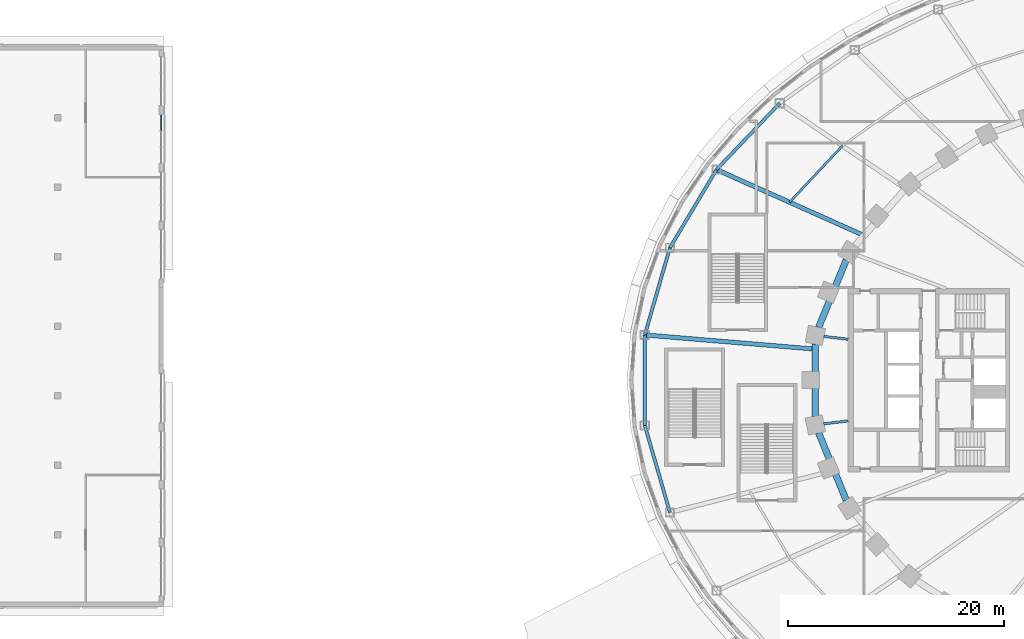
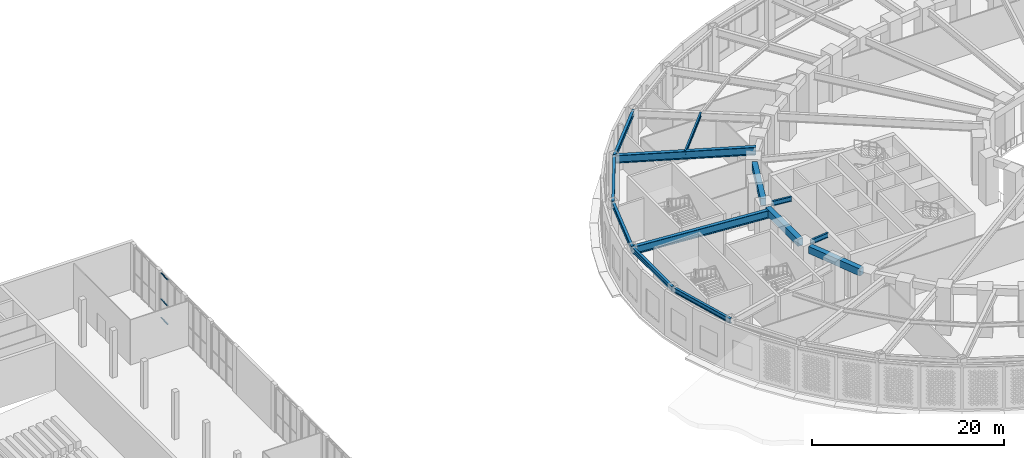
# One storey, part 10 of 74: 13 beams, 3 members, 1 element without a shape of its own.
"""IFC4 building model written with IfcOpenShell, lengths in metres."""

from ifc_helpers import new_model, si_unit, direction, frame, origin, origin_2d, place, context, subcontext, project, spatial, rectangle, i_section, extrude, material, layer, layer_set, material_profile, profile_set, type_object, element, aggregate, save


model = new_model("IFC4")

# Units and contexts
model_context = context("Model", 3, precision=1e-05, world=origin(), true_north=direction((0.0, 1.0)))
body_context = subcontext(model_context, "Body", "Model", "MODEL_VIEW")
ifc_project = project(units=[si_unit("LENGTHUNIT", "METRE"), si_unit("AREAUNIT", "SQUARE_METRE"), si_unit("VOLUMEUNIT", "CUBIC_METRE"), si_unit("PLANEANGLEUNIT", "RADIAN"), si_unit("MASSUNIT", "GRAM", prefix="KILO")], contexts=[model_context])

# Site, building, storey
site_placement = place(None, origin())
site = spatial("IfcSite", under=ifc_project, at=site_placement, CompositionType="ELEMENT")
building_placement = place(site_placement, origin())
building = spatial("IfcBuilding", under=site, at=building_placement, Name="Noorbagh Ring Tower", CompositionType="ELEMENT")
storey_placement = place(building_placement, frame((0.0, 0.0, 7.5)))
storey = spatial("IfcBuildingStorey", under=building, at=storey_placement, Name="L01", CompositionType="ELEMENT", Elevation=7.5)

# Beams
ifc_material_1 = material(Name="Steel S355", Category="steel")
ifc_material_profile_1 = material_profile(ifc_material_1, i_section(OverallWidth=0.300048828125, OverallDepth=0.60009765625, WebThickness=0.015380859375, FlangeThickness=0.030029296875, FilletRadius=0.027099609375, at=origin_2d()), Name="HEB600")
ifc_profile_set_1 = profile_set([ifc_material_profile_1], Name="Steel S355")
beam_type_1 = type_object("IfcBeamType", Name="GND-EDGE-BEAM-HEB600", PredefinedType="BEAM", material=ifc_profile_set_1)
beam_1_placement = place(storey_placement, frame((-37.8330078125, 25.679931640625, 5.449951171875), z_axis=(-0.689738356688, -0.724058698804, 0.0), x_axis=(0.724058698804, -0.689738356688, 0.0)))
element("IfcBeam", 1, at=beam_1_placement, inside=storey, type_object=beam_type_1, Name="L01/bm/ERP-14", PredefinedType="BEAM", context=body_context, shape_type="SweptSolid", body=[
    extrude(i_section(OverallWidth=0.300048828125, OverallDepth=0.60009765625, WebThickness=0.015380859375, FlangeThickness=0.030029296875, FilletRadius=0.027099609375, at=origin_2d()), origin(), (0.0, 0.0, 1.0), 8.500732421875),
])
beam_2_placement = place(storey_placement, frame((-43.6962890625, 19.52490234375, 5.449951171875), z_axis=(-0.511999358166, -0.858985830638, 0.0), x_axis=(0.858985830638, -0.511999358166, 0.0)))
element("IfcBeam", 2, at=beam_2_placement, inside=storey, type_object=beam_type_1, Name="L01/bm/ERP-15", PredefinedType="BEAM", context=body_context, shape_type="SweptSolid", body=[
    extrude(i_section(OverallWidth=0.300048828125, OverallDepth=0.60009765625, WebThickness=0.015380859375, FlangeThickness=0.030029296875, FilletRadius=0.027099609375, at=origin_2d()), origin(), (0.0, 0.0, 1.0), 8.449462890625),
])
beam_3_placement = place(storey_placement, frame((-48.0224609375, 12.266845703125, 5.449951171875), z_axis=(-0.276646874617, -0.960971647222, 0.0), x_axis=(0.960971647222, -0.276646874617, 0.0)))
element("IfcBeam", 3, at=beam_3_placement, inside=storey, type_object=beam_type_1, Name="L01/bm/ERP-16", PredefinedType="BEAM", context=body_context, shape_type="SweptSolid", body=[
    extrude(i_section(OverallWidth=0.300048828125, OverallDepth=0.60009765625, WebThickness=0.015380859375, FlangeThickness=0.030029296875, FilletRadius=0.027099609375, at=origin_2d()), origin(), (0.0, 0.0, 1.0), 8.403076171875),
])
beam_4_placement = place(storey_placement, frame((-50.34716796875, 4.191650390625, 5.449951171875), z_axis=(0.0, -1.0, 0.0), x_axis=(1.0, 0.0, 0.0)))
element("IfcBeam", 4, at=beam_4_placement, inside=storey, type_object=beam_type_1, Name="L01/bm/ERP-17", PredefinedType="BEAM", context=body_context, shape_type="SweptSolid", body=[
    extrude(i_section(OverallWidth=0.300048828125, OverallDepth=0.60009765625, WebThickness=0.015380859375, FlangeThickness=0.030029296875, FilletRadius=0.027099609375, at=origin_2d()), origin(), (0.0, 0.0, 1.0), 8.38330078125),
])
beam_5_placement = place(storey_placement, frame((-50.34716796875, -4.191650390625, 5.449951171875), z_axis=(0.276646874617, -0.960971647222, 0.0), x_axis=(0.960971647222, 0.276646874617, 0.0)))
element("IfcBeam", 5, at=beam_5_placement, inside=storey, type_object=beam_type_1, Name="L01/bm/ERP-18", PredefinedType="BEAM", context=body_context, shape_type="SweptSolid", body=[
    extrude(i_section(OverallWidth=0.300048828125, OverallDepth=0.60009765625, WebThickness=0.015380859375, FlangeThickness=0.030029296875, FilletRadius=0.027099609375, at=origin_2d()), origin(), (0.0, 0.0, 1.0), 8.403076171875),
])
ifc_material_2 = material(Name="Steel S355", Category="steel")
ifc_material_profile_2 = material_profile(ifc_material_2, i_section(OverallWidth=0.39990234375, OverallDepth=1.0, WebThickness=0.01611328125, FlangeThickness=0.0400390625, at=origin_2d()), Name="PG1000x400x16x40")
ifc_profile_set_2 = profile_set([ifc_material_profile_2], Name="Steel S355")
beam_type_2 = type_object("IfcBeamType", Name="GND-GIRDER-PG1000x400x16x40", PredefinedType="BEAM", material=ifc_profile_set_2)
beam_6_placement = place(storey_placement, frame((-43.6962890625, 19.52490234375, 5.25), z_axis=(0.91299879945, -0.4079622436, 0.0), x_axis=(0.4079622436, 0.91299879945, 0.0)))
element("IfcBeam", 6, at=beam_6_placement, inside=storey, type_object=beam_type_2, Name="L01/bm/GRP-15", PredefinedType="BEAM", context=body_context, shape_type="SweptSolid", body=[
    extrude(i_section(OverallWidth=0.39990234375, OverallDepth=1.0, WebThickness=0.01611328125, FlangeThickness=0.0400390625, at=origin_2d()), origin(), (0.0, 0.0, 1.0), 14.8359375),
])
beam_7_placement = place(storey_placement, frame((-50.34716796875, 4.191650390625, 5.25), z_axis=(0.996552811546, -0.082960796767, 0.0), x_axis=(0.082960796767, 0.996552811546, 0.0)))
element("IfcBeam", 7, at=beam_7_placement, inside=storey, type_object=beam_type_2, Name="L01/bm/GRP-17", PredefinedType="BEAM", context=body_context, shape_type="SweptSolid", body=[
    extrude(i_section(OverallWidth=0.39990234375, OverallDepth=1.0, WebThickness=0.01611328125, FlangeThickness=0.0400390625, at=origin_2d()), origin(), (0.0, 0.0, 1.0), 15.7470703125),
])
ifc_material_3 = material(Name="Steel S355", Category="steel")
ifc_material_profile_3 = material_profile(ifc_material_3, i_section(OverallWidth=0.199951171875, OverallDepth=0.5, WebThickness=0.01025390625, FlangeThickness=0.01611328125, FilletRadius=0.02099609375, at=origin_2d()), Name="IPE500")
ifc_profile_set_3 = profile_set([ifc_material_profile_3], Name="Steel S355")
beam_type_3 = type_object("IfcBeamType", Name="GND-MID-BEAM-IPE500", PredefinedType="JOIST", material=ifc_profile_set_3)
beam_8_placement = place(storey_placement, frame((-32.013916015625, 21.72998046875, 5.5), z_axis=(-0.684360968268, -0.729143377609, 0.0), x_axis=(0.729143377609, -0.684360968268, 0.0)))
element("IfcBeam", 8, at=beam_8_placement, inside=storey, type_object=beam_type_3, Name="L01/bm/MRP-14", PredefinedType="JOIST", context=body_context, shape_type="SweptSolid", body=[
    extrude(i_section(OverallWidth=0.199951171875, OverallDepth=0.5, WebThickness=0.01025390625, FlangeThickness=0.01611328125, FilletRadius=0.02099609375, at=origin_2d()), origin(), (0.0, 0.0, 1.0), 7.174560546875),
])
ifc_material_4 = material(Name="Steel S355", Category="steel")
ifc_material_profile_4 = material_profile(ifc_material_4, i_section(OverallWidth=0.219970703125, OverallDepth=0.60009765625, WebThickness=0.011962890625, FlangeThickness=0.01904296875, FilletRadius=0.02392578125, at=origin_2d()), Name="IPE600")
ifc_profile_set_4 = profile_set([ifc_material_profile_4], Name="Steel S355")
beam_type_4 = type_object("IfcBeamType", Name="STR-RAD-IPE600", PredefinedType="BEAM", material=ifc_profile_set_4)
for number, where, z_axis, x_axis, name in (
    (9, (-33.75, 4.057373046875, 5.449951171875), (0.992846993178, -0.11939366875, 0.0), (0.11939366875, 0.992846993178, 0.0), "L01/bm/RD23"),
    (10, (-33.75, -4.057373046875, 5.449951171875), (0.992846993178, 0.11939366875, 0.0), (-0.11939366875, 0.992846993178, 0.0), "L01/bm/RD25"),
):
    element("IfcBeam", number, at=place(storey_placement, frame(where, z_axis=z_axis, x_axis=x_axis)), inside=storey, type_object=beam_type_4, Name=name, PredefinedType="BEAM", context=body_context, shape_type="SweptSolid", body=[
        extrude(i_section(OverallWidth=0.219970703125, OverallDepth=0.60009765625, WebThickness=0.011962890625, FlangeThickness=0.01904296875, FilletRadius=0.02392578125, at=origin_2d()), origin(), (0.0, 0.0, 1.0), 2.2861328125),
    ])
ifc_material_5 = material(Name="Concrete C40/50", Category="concrete")
ifc_material_profile_5 = material_profile(ifc_material_5, rectangle(XDim=0.60009765625, YDim=0.89990234375, at=origin_2d()), Name="RC600x900")
ifc_profile_set_5 = profile_set([ifc_material_profile_5], Name="Concrete C40/50")
beam_type_5 = type_object("IfcBeamType", Name="STR-SB-RC600x900-C40-50", PredefinedType="BEAM", material=ifc_profile_set_5)
beam_9_placement = place(storey_placement, frame((-31.665283203125, 11.137451171875, 5.300048828125), z_axis=(-0.378998692222, -0.925397207308, 0.0), x_axis=(0.925397207308, -0.378998692222, 0.0)))
element("IfcBeam", 11, at=beam_9_placement, inside=storey, type_object=beam_type_5, Name="L01/bm/SP21", PredefinedType="BEAM", context=body_context, shape_type="SweptSolid", body=[
    extrude(rectangle(XDim=0.60009765625, YDim=0.89990234375, at=origin_2d()), origin(), (0.0, 0.0, 1.0), 6.75537109375),
])
beam_10_placement = place(storey_placement, frame((-34.52685546875, 3.354736328125, 5.300048828125), z_axis=(0.0, -1.0, 0.0), x_axis=(1.0, 0.0, 0.0)))
element("IfcBeam", 12, at=beam_10_placement, inside=storey, type_object=beam_type_5, Name="L01/bm/SP23", PredefinedType="BEAM", context=body_context, shape_type="SweptSolid", body=[
    extrude(rectangle(XDim=0.60009765625, YDim=0.89990234375, at=origin_2d()), origin(), (0.0, 0.0, 1.0), 6.70947265625),
])
beam_11_placement = place(storey_placement, frame((-34.2255859375, -4.885986328125, 5.300048828125), z_axis=(0.378998692222, -0.925397207308, 0.0), x_axis=(0.925397207308, 0.378998692222, 0.0)))
element("IfcBeam", 13, at=beam_11_placement, inside=storey, type_object=beam_type_5, Name="L01/bm/SP25", PredefinedType="BEAM", context=body_context, shape_type="SweptSolid", body=[
    extrude(rectangle(XDim=0.60009765625, YDim=0.89990234375, at=origin_2d()), origin(), (0.0, 0.0, 1.0), 6.75537109375),
])

# Curtain wall, members
ifc_material_6 = material(Name="Aluminium and glass", Category="aluminium")
ifc_layer = layer(ifc_material_6, 0.199951171875)
ifc_layer_set = layer_set([ifc_layer], Name="Aluminium and glass")
curtain_wall_type = type_object("IfcCurtainWallType", Name="TH-CW", PredefinedType="NOTDEFINED", material=ifc_layer_set)
curtain_wall_placement = place(storey_placement, origin())
curtain_wall = element("IfcCurtainWall", 14, at=curtain_wall_placement, inside=storey, type_object=curtain_wall_type, Name="Foyer glazing", PredefinedType="NOTDEFINED")
ifc_material_7 = material(Name="Aluminium", Category="aluminium")
ifc_material_profile_6 = material_profile(ifc_material_7, rectangle(XDim=0.1201171875, YDim=0.06005859375, at=origin_2d()), Name="AL 120x60")
ifc_profile_set_6 = profile_set([ifc_material_profile_6], Name="Aluminium")
member_type = type_object("IfcMemberType", Name="TH-CW-TRANSOM", PredefinedType="USERDEFINED", material=ifc_profile_set_6)
member_1_placement = place(storey_placement, frame((-95.199951171875, 23.163330078125, 0.030029296875), z_axis=(0.0, 1.0, 0.0), x_axis=(-1.0, 0.0, 0.0)))
member_1 = element("IfcMember", 15, at=member_1_placement, type_object=member_type, Name="CW-T transom 3.1", ObjectType="TRANSOM", PredefinedType="USERDEFINED", context=body_context, shape_type="SweptSolid", body=[
    extrude(rectangle(XDim=0.1201171875, YDim=0.06005859375, at=origin_2d()), origin(), (0.0, 0.0, 1.0), 1.4267578125),
])
member_2_placement = place(storey_placement, frame((-95.199951171875, 23.163330078125, 2.39990234375), z_axis=(0.0, 1.0, 0.0), x_axis=(-1.0, 0.0, 0.0)))
member_2 = element("IfcMember", 16, at=member_2_placement, type_object=member_type, Name="CW-T transom 3.2", ObjectType="TRANSOM", PredefinedType="USERDEFINED", context=body_context, shape_type="SweptSolid", body=[
    extrude(rectangle(XDim=0.1201171875, YDim=0.06005859375, at=origin_2d()), origin(), (0.0, 0.0, 1.0), 1.4267578125),
])
member_3_placement = place(storey_placement, frame((-95.199951171875, 23.163330078125, 5.669921875), z_axis=(0.0, 1.0, 0.0), x_axis=(-1.0, 0.0, 0.0)))
member_3 = element("IfcMember", 17, at=member_3_placement, type_object=member_type, Name="CW-T transom 3.3", ObjectType="TRANSOM", PredefinedType="USERDEFINED", context=body_context, shape_type="SweptSolid", body=[
    extrude(rectangle(XDim=0.1201171875, YDim=0.06005859375, at=origin_2d()), origin(), (0.0, 0.0, 1.0), 1.4267578125),
])
aggregate(curtain_wall, [member_1, member_2, member_3])

save(model, "model.ifc")
